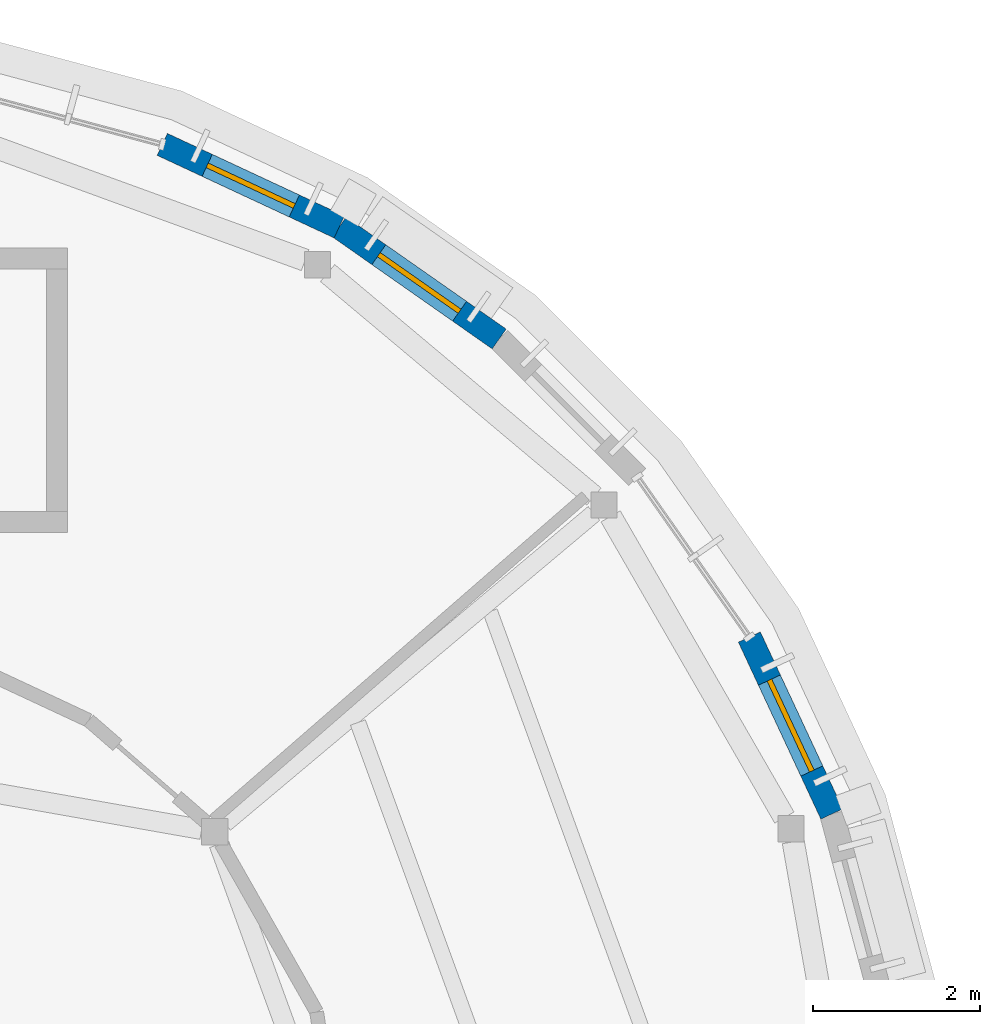
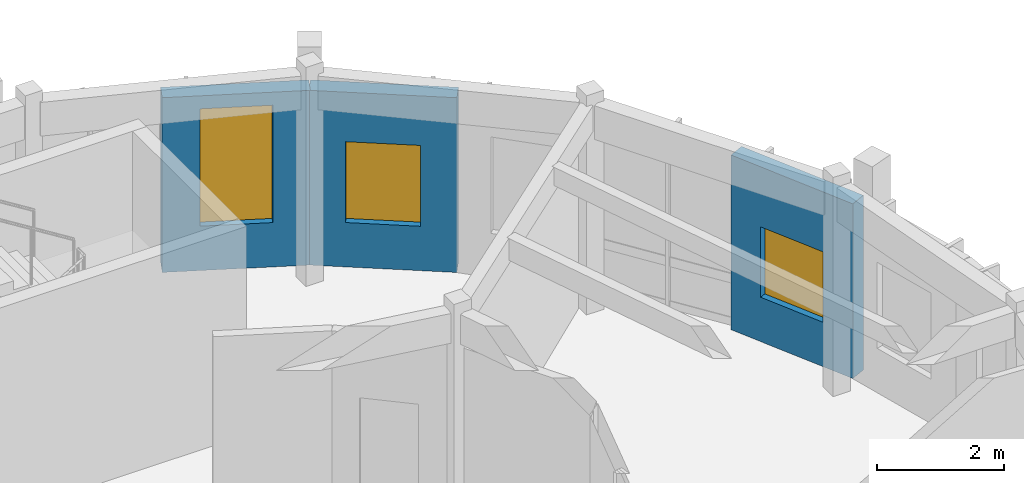
# One storey, part 22 of 37: 3 walls, 3 windows, 3 openings.
"""IFC4 building model written with IfcOpenShell, lengths in metres."""

from ifc_helpers import new_model, si_unit, direction, frame, frame_2d, origin, place, context, subcontext, project, spatial, rectangle, extrude, material, layer, layer_set, type_object, element, fill, save


model = new_model("IFC4")

# Units and contexts
model_context = context("Model", 3, precision=1e-05, world=origin(), true_north=direction((0.0, 1.0)))
body_context = subcontext(model_context, "Body", "Model", "MODEL_VIEW")
ifc_project = project(units=[si_unit("LENGTHUNIT", "METRE"), si_unit("AREAUNIT", "SQUARE_METRE"), si_unit("VOLUMEUNIT", "CUBIC_METRE"), si_unit("PLANEANGLEUNIT", "RADIAN"), si_unit("MASSUNIT", "GRAM", prefix="KILO")], contexts=[model_context])

# Site, building, storey
site_placement = place(None, origin())
site = spatial("IfcSite", under=ifc_project, at=site_placement, CompositionType="ELEMENT")
building_placement = place(site_placement, origin())
building = spatial("IfcBuilding", under=site, at=building_placement, Name="Aldenvaro Health Centre", CompositionType="ELEMENT")
storey_placement = place(building_placement, frame((0.0, 0.0, 12.949951171875)))
storey = spatial("IfcBuildingStorey", under=building, at=storey_placement, Name="L03", CompositionType="ELEMENT", Elevation=12.949951171875)

# Wall, opening, window
ifc_material_1 = material(Name="Cross-laminated timber CLT E1", Category="wood")
ifc_layer = layer(ifc_material_1, 0.2900390625, Name="Cross-laminated timber CLT E1", Category="wood")
ifc_layer_set = layer_set([ifc_layer], Name="Cross-laminated timber CLT E1")
wall_type = type_object("IfcWallType", Name="WL-EXT-290", PredefinedType="ELEMENTEDWALL", material=ifc_layer_set)
wall_1_placement = place(storey_placement, frame((23.0830078125, 112.092041015625, 0.0), z_axis=(0.0, 0.0, 1.0), x_axis=(0.906321946979, -0.422587894318, 0.0)))
wall_1 = element("IfcWall", 1, at=wall_1_placement, inside=storey, type_object=wall_type, Name="D4 L03 exterior wall 30", PredefinedType="ELEMENTEDWALL", context=body_context, shape_type="SweptSolid", body=[
    extrude(rectangle(XDim=2.335693359375, YDim=0.2900390625, at=frame_2d((1.16796875, 0.0))), origin(), (0.0, 0.0, 1.0), 3.34912109375),
])
opening_1_placement = place(wall_1_placement, frame((0.593017578125, 0.0, 0.85009765625)))
opening_1 = element("IfcOpeningElement", 2, at=opening_1_placement, cuts=wall_1, Name="Opening W-33", PredefinedType="OPENING", context=body_context, shape_type="SweptSolid", body=[
    extrude(rectangle(XDim=1.14990234375, YDim=2.25, at=frame_2d((0.574951171875, 1.125))), frame((0.0, 0.155029296875, 0.0), z_axis=(0.0, -1.0, 0.0), x_axis=(1.0, 0.0, 0.0)), (0.0, 0.0, 1.0), 0.31005859375),
])
ifc_material_2 = material(Name="Thermally Broken Aluminium Low-E Glass", Category="aluminium")
window_type_1 = type_object("IfcWindowType", Name="WN-EXT-33", PartitioningType="SINGLE_PANEL", PredefinedType="WINDOW", material=ifc_material_2)
window_1_placement = place(opening_1_placement, origin())
window_1 = element("IfcWindow", 3, at=window_1_placement, inside=storey, type_object=window_type_1, Name="D4 L03 clinical window 30", OverallHeight=2.25, OverallWidth=1.14990234375, PartitioningType="SINGLE_PANEL", PredefinedType="WINDOW", context=body_context, shape_type="SweptSolid", body=[
    extrude(rectangle(XDim=1.14990234375, YDim=2.25, at=frame_2d((0.574951171875, 1.125))), frame((0.0, 0.030029296875, 0.0), z_axis=(0.0, -1.0, 0.0), x_axis=(1.0, 0.0, 0.0)), (0.0, 0.0, 1.0), 0.06005859375),
])
fill(opening_1, window_1)

wall_2_placement = place(storey_placement, frame((25.199951171875, 111.10498046875, 0.0), z_axis=(0.0, 0.0, 1.0), x_axis=(0.819045278347, -0.573728883722, 0.0)))
wall_2 = element("IfcWall", 4, at=wall_2_placement, inside=storey, type_object=wall_type, Name="D4 L03 exterior wall 31", PredefinedType="ELEMENTEDWALL", context=body_context, shape_type="SweptSolid", body=[
    extrude(rectangle(XDim=2.335693359375, YDim=0.2900390625, at=frame_2d((1.16796875, 0.0))), origin(), (0.0, 0.0, 1.0), 3.34912109375),
])
opening_2_placement = place(wall_2_placement, frame((0.577880859375, 0.0, 0.85009765625)))
opening_2 = element("IfcOpeningElement", 5, at=opening_2_placement, cuts=wall_2, Name="Opening W-34", PredefinedType="OPENING", context=body_context, shape_type="SweptSolid", body=[
    extrude(rectangle(XDim=1.179931640625, YDim=1.550048828125, at=frame_2d((0.58984375, 0.77490234375))), frame((0.0, 0.155029296875, 0.0), z_axis=(0.0, -1.0, 0.0), x_axis=(1.0, 0.0, 0.0)), (0.0, 0.0, 1.0), 0.31005859375),
])
window_type_2 = type_object("IfcWindowType", Name="WN-EXT-34", PartitioningType="SINGLE_PANEL", PredefinedType="WINDOW", material=ifc_material_2)
window_2_placement = place(opening_2_placement, origin())
window_2 = element("IfcWindow", 6, at=window_2_placement, inside=storey, type_object=window_type_2, Name="D4 L03 clinical window 31", OverallHeight=1.550048828125, OverallWidth=1.179931640625, PartitioningType="SINGLE_PANEL", PredefinedType="WINDOW", context=body_context, shape_type="SweptSolid", body=[
    extrude(rectangle(XDim=1.179931640625, YDim=1.550048828125, at=frame_2d((0.58984375, 0.77490234375))), frame((0.0, 0.030029296875, 0.0), z_axis=(0.0, -1.0, 0.0), x_axis=(1.0, 0.0, 0.0)), (0.0, 0.0, 1.0), 0.06005859375),
])
fill(opening_2, window_2)

wall_3_placement = place(storey_placement, frame((30.10498046875, 106.199951171875, 0.0), z_axis=(0.0, 0.0, 1.0), x_axis=(0.422587894318, -0.906321946979, 0.0)))
wall_3 = element("IfcWall", 7, at=wall_3_placement, inside=storey, type_object=wall_type, Name="D4 L03 exterior wall 34", PredefinedType="ELEMENTEDWALL", context=body_context, shape_type="SweptSolid", body=[
    extrude(rectangle(XDim=2.335693359375, YDim=0.2900390625, at=frame_2d((1.16796875, 0.0))), origin(), (0.0, 0.0, 1.0), 3.34912109375),
])
opening_3_placement = place(wall_3_placement, frame((0.568115234375, 0.0, 0.85009765625)))
opening_3 = element("IfcOpeningElement", 8, at=opening_3_placement, cuts=wall_3, Name="Opening W-36", PredefinedType="OPENING", context=body_context, shape_type="SweptSolid", body=[
    extrude(rectangle(XDim=1.199951171875, YDim=1.35009765625, at=frame_2d((0.60009765625, 0.675048828125))), frame((0.0, 0.155029296875, 0.0), z_axis=(0.0, -1.0, 0.0), x_axis=(1.0, 0.0, 0.0)), (0.0, 0.0, 1.0), 0.31005859375),
])
window_type_3 = type_object("IfcWindowType", Name="WN-EXT-36", PartitioningType="SINGLE_PANEL", PredefinedType="WINDOW", material=ifc_material_2)
window_3_placement = place(opening_3_placement, origin())
window_3 = element("IfcWindow", 9, at=window_3_placement, inside=storey, type_object=window_type_3, Name="D4 L03 clinical window 34", OverallHeight=1.35009765625, OverallWidth=1.199951171875, PartitioningType="SINGLE_PANEL", PredefinedType="WINDOW", context=body_context, shape_type="SweptSolid", body=[
    extrude(rectangle(XDim=1.199951171875, YDim=1.35009765625, at=frame_2d((0.60009765625, 0.675048828125))), frame((0.0, 0.030029296875, 0.0), z_axis=(0.0, -1.0, 0.0), x_axis=(1.0, 0.0, 0.0)), (0.0, 0.0, 1.0), 0.06005859375),
])
fill(opening_3, window_3)

save(model, "model.ifc")
